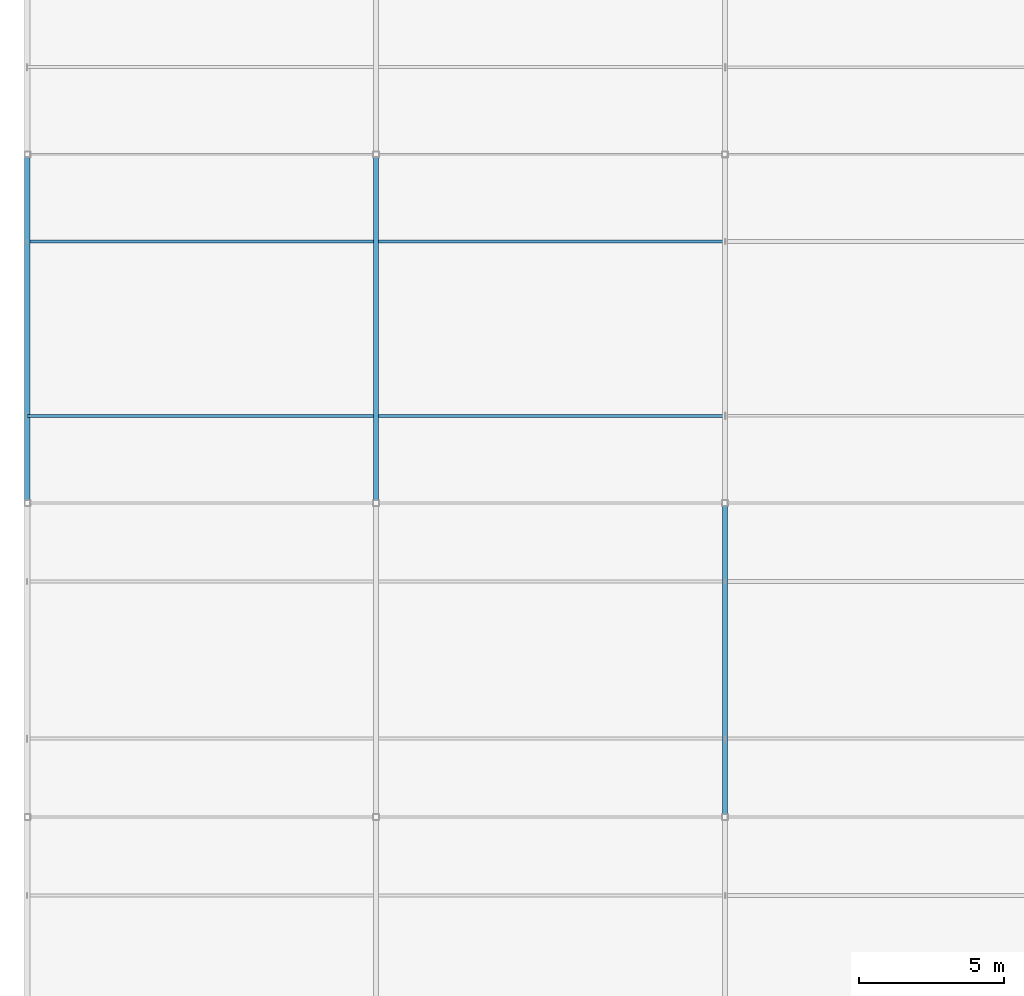
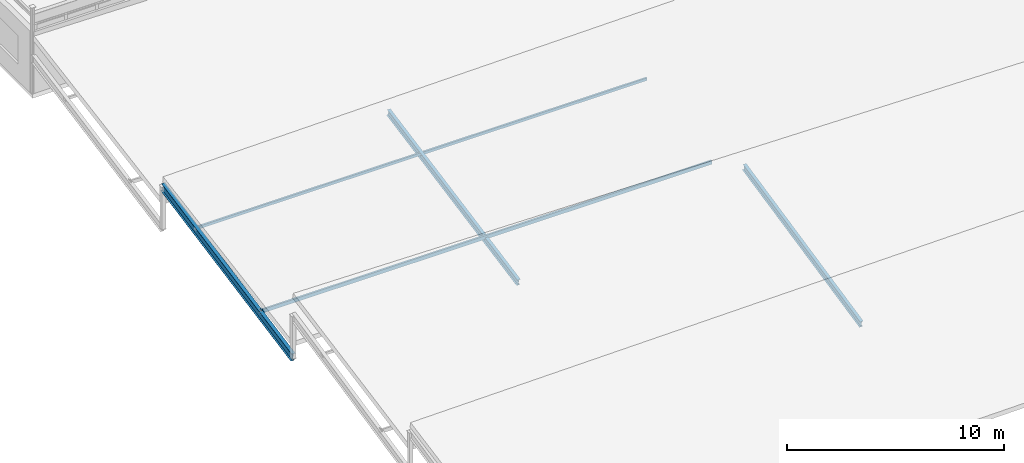
# One storey, part 64 of 226: 5 members.
"""IFC4 building model written with IfcOpenShell, lengths in metres."""

from ifc_helpers import new_model, si_unit, direction, frame, origin, origin_2d, place, context, subcontext, project, spatial, hollow_rectangle, i_section, extrude, material, material_profile, profile_set, type_object, element, save


model = new_model("IFC4")

# Units and contexts
model_context = context("Model", 3, precision=1e-05, world=origin(), true_north=direction((0.0, 1.0)))
body_context = subcontext(model_context, "Body", "Model", "MODEL_VIEW")
ifc_project = project(units=[si_unit("LENGTHUNIT", "METRE"), si_unit("AREAUNIT", "SQUARE_METRE"), si_unit("VOLUMEUNIT", "CUBIC_METRE"), si_unit("PLANEANGLEUNIT", "RADIAN"), si_unit("MASSUNIT", "GRAM", prefix="KILO")], contexts=[model_context])

# Site, building, storey
site_placement = place(None, origin())
site = spatial("IfcSite", under=ifc_project, at=site_placement, CompositionType="ELEMENT")
building_placement = place(site_placement, origin())
building = spatial("IfcBuilding", under=site, at=building_placement, Name="Tarnwether General Hospital", CompositionType="ELEMENT")
storey_placement = place(building_placement, frame((0.0, 0.0, 4.800048828125)))
storey = spatial("IfcBuildingStorey", under=building, at=storey_placement, Name="L01", CompositionType="ELEMENT", Elevation=4.800048828125)

# Members
ifc_material_1 = material(Name="Steel Grade C350L0 (350 MPa)", Category="steel")
ifc_material_profile_1 = material_profile(ifc_material_1, hollow_rectangle(XDim=0.10009765625, YDim=0.199951171875, WallThickness=0.008056640625, at=origin_2d()), Name="RHS200x100x8")
ifc_profile_set_1 = profile_set([ifc_material_profile_1], Name="Steel Grade C350L0 (350 MPa)")
member_type_1 = type_object("IfcMemberType", Name="MB-PR3", PredefinedType="PURLIN", material=ifc_profile_set_1)
member_1_placement = place(storey_placement, frame((0.0, 24.60009765625, 0.39990234375), z_axis=(1.0, 0.0, 0.0), x_axis=(0.0, 1.0, 0.0)))
element("IfcMember", 1, at=member_1_placement, inside=storey, type_object=member_type_1, Name="Emergency Sawtooth Purlin 050", PredefinedType="PURLIN", context=body_context, shape_type="SweptSolid", body=[
    extrude(hollow_rectangle(XDim=0.10009765625, YDim=0.199951171875, WallThickness=0.008056640625, at=origin_2d()), origin(), (0.0, 0.0, 1.0), 24.0),
])
ifc_material_2 = material(Name="Steel Grade C350L0 (350 MPa)", Category="steel")
ifc_material_profile_2 = material_profile(ifc_material_2, hollow_rectangle(XDim=0.10009765625, YDim=0.14990234375, WallThickness=0.006103515625, at=origin_2d()), Name="RHS150x100x6")
ifc_profile_set_2 = profile_set([ifc_material_profile_2], Name="Steel Grade C350L0 (350 MPa)")
member_type_2 = type_object("IfcMemberType", Name="MB-PR5", PredefinedType="PURLIN", material=ifc_profile_set_2)
member_2_placement = place(storey_placement, frame((0.0, 30.60009765625, 1.43994140625), z_axis=(1.0, 0.0, 0.0), x_axis=(0.0, 1.0, 0.0)))
element("IfcMember", 2, at=member_2_placement, inside=storey, type_object=member_type_2, Name="Emergency Sawtooth Purlin 052", PredefinedType="PURLIN", context=body_context, shape_type="SweptSolid", body=[
    extrude(hollow_rectangle(XDim=0.10009765625, YDim=0.14990234375, WallThickness=0.006103515625, at=origin_2d()), origin(), (0.0, 0.0, 1.0), 24.0),
])
ifc_material_3 = material(Name="Steel Grade 350 (350 MPa)", Category="steel")
ifc_material_profile_3 = material_profile(ifc_material_3, i_section(OverallWidth=0.18994140625, OverallDepth=0.4541015625, WebThickness=0.008544921875, FlangeThickness=0.0126953125, at=origin_2d()), Name="460UB67.1")
ifc_profile_set_3 = profile_set([ifc_material_profile_3], Name="Steel Grade 350 (350 MPa)")
member_type_3 = type_object("IfcMemberType", Name="MB-RF3", PredefinedType="RAFTER", material=ifc_profile_set_3)
member_3_placement = place(storey_placement, frame((0.0, 21.60009765625, -0.360107421875), z_axis=(0.0, 0.981818178063, 0.189823774132), x_axis=(-1.0, 0.0, 0.0)))
element("IfcMember", 3, at=member_3_placement, inside=storey, type_object=member_type_3, Name="Emergency Sawtooth Rafter 045", PredefinedType="RAFTER", context=body_context, shape_type="SweptSolid", body=[
    extrude(i_section(OverallWidth=0.18994140625, OverallDepth=0.4541015625, WebThickness=0.008544921875, FlangeThickness=0.0126953125, at=origin_2d()), origin(), (0.0, 0.0, 1.0), 12.22216796875),
])
ifc_material_4 = material(Name="Steel Grade 350 (350 MPa)", Category="steel")
ifc_material_profile_4 = material_profile(ifc_material_4, i_section(OverallWidth=0.1708984375, OverallDepth=0.35595703125, WebThickness=0.00732421875, FlangeThickness=0.011474609375, at=origin_2d()), Name="360UB50.7")
ifc_profile_set_4 = profile_set([ifc_material_profile_4], Name="Steel Grade 350 (350 MPa)")
member_type_4 = type_object("IfcMemberType", Name="MB-RF4", PredefinedType="RAFTER", material=ifc_profile_set_4)
member_4_placement = place(storey_placement, frame((24.0, 10.800048828125, -0.360107421875), z_axis=(0.0, 0.977695229902, 0.210028658584), x_axis=(-1.0, 0.0, 0.0)))
element("IfcMember", 4, at=member_4_placement, inside=storey, type_object=member_type_4, Name="Emergency Sawtooth Rafter 038", PredefinedType="RAFTER", context=body_context, shape_type="SweptSolid", body=[
    extrude(i_section(OverallWidth=0.1708984375, OverallDepth=0.35595703125, WebThickness=0.00732421875, FlangeThickness=0.011474609375, at=origin_2d()), origin(), (0.0, 0.0, 1.0), 11.04638671875),
])
member_5_placement = place(storey_placement, frame((12.0, 21.60009765625, -0.360107421875), z_axis=(0.0, 0.981818178063, 0.189823774132), x_axis=(-1.0, 0.0, 0.0)))
element("IfcMember", 5, at=member_5_placement, inside=storey, type_object=member_type_4, Name="Emergency Sawtooth Rafter 046", PredefinedType="RAFTER", context=body_context, shape_type="SweptSolid", body=[
    extrude(i_section(OverallWidth=0.1708984375, OverallDepth=0.35595703125, WebThickness=0.00732421875, FlangeThickness=0.011474609375, at=origin_2d()), origin(), (0.0, 0.0, 1.0), 12.22216796875),
])

save(model, "model.ifc")
